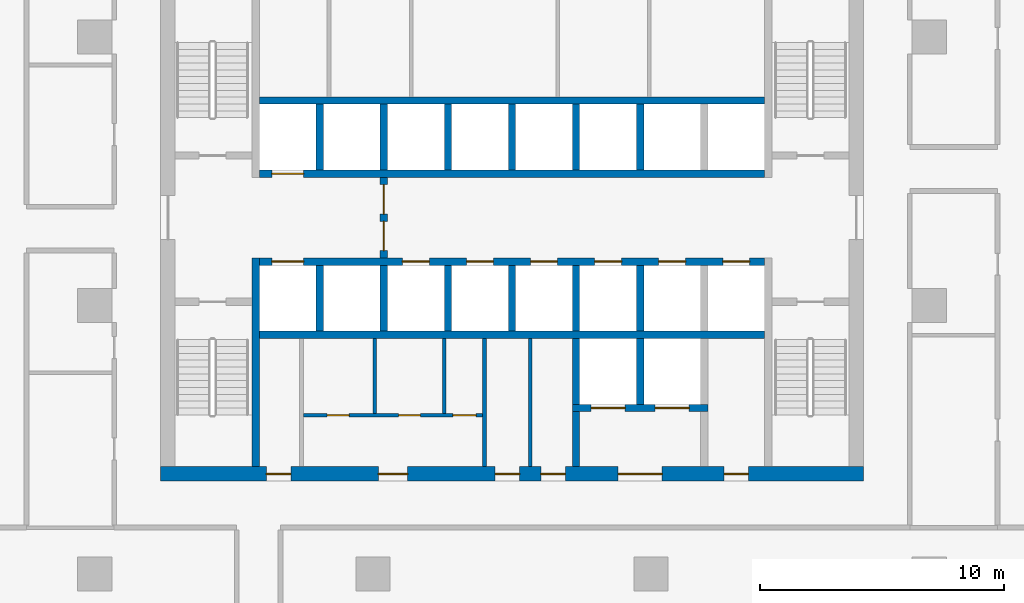
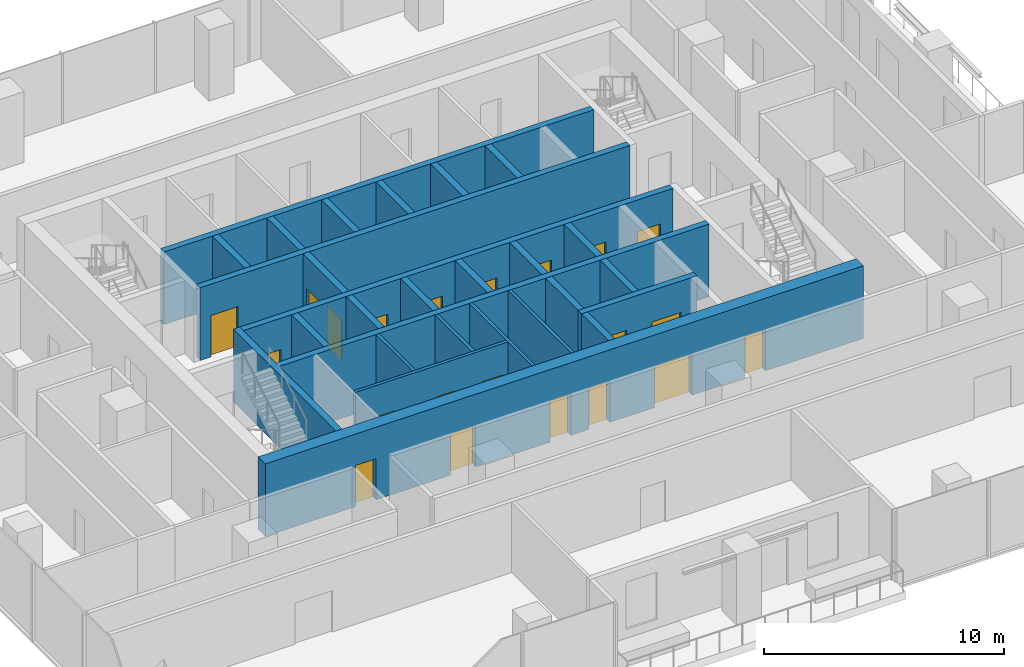
# One storey, part 8 of 14: 28 walls, 21 doors, 21 openings.
"""IFC4 building model written with IfcOpenShell, lengths in metres."""

import ifcopenshell
import ifcopenshell.guid

model = None  # the IFC model being written
_history = None  # IfcOwnerHistory: only IFC2X3 demands one
_inside = {}  # id of a spatial element -> (the spatial element, [elements in it])
_under = {}  # id of a project, library or spatial element -> (it, [spatial elements below it])
_declared = {}  # id of a project -> (the project, [libraries it declares])
_typed = {}  # id of a type object -> (the type object, [elements of that type])
_made_of = {}  # id of a material, layer set ... -> (it, [elements and type objects made of it])


def new_model(schema):
    """Start an empty IFC model of exactly this schema.

    Asked for "IFC4X3", IfcOpenShell would pick the latest addendum, in which some entities
    have other attributes; the version numbers below select the first issue.
    IFC2X3 requires an IfcOwnerHistory on every rooted entity: one is made here for all.
    """
    global model, _history
    if schema == "IFC4X3":
        model = ifcopenshell.file(schema_version=(4, 3, 0, 0))
    else:
        model = ifcopenshell.file(schema=schema)
    _inside.clear()
    _under.clear()
    _declared.clear()
    _typed.clear()
    _made_of.clear()
    _history = None
    if model.schema == "IFC2X3":
        org = make("IfcOrganization", Name="unknown")
        user = make(
            "IfcPersonAndOrganization",
            ThePerson=make("IfcPerson", FamilyName="unknown"),
            TheOrganization=org,
        )
        app = make(
            "IfcApplication",
            ApplicationDeveloper=org,
            Version="unknown",
            ApplicationFullName="unknown",
            ApplicationIdentifier="unknown",
        )
        _history = make(
            "IfcOwnerHistory",
            OwningUser=user,
            OwningApplication=app,
            ChangeAction="ADDED",
            CreationDate=0,
        )
    return model


def make(cls, **values):
    """One entity of the class cls with the attributes given. An attribute that is None is left unset."""
    return model.create_entity(
        cls, **{name: value for name, value in values.items() if value is not None}
    )


def rooted(cls, **values):
    """An entity with a GlobalId (a new one), such as an element, a storey or a relation."""
    return make(cls, GlobalId=ifcopenshell.guid.new(), OwnerHistory=_history, **values)


def si_unit(unit_type, name, prefix=None):
    """IfcSIUnit, for example si_unit("LENGTHUNIT", "METRE", prefix="MILLI")."""
    return make("IfcSIUnit", UnitType=unit_type, Prefix=prefix, Name=name)


def assignment(units):
    """IfcUnitAssignment: the units of a project."""
    return None if units is None else make("IfcUnitAssignment", Units=units)


def point(xyz):
    """IfcCartesianPoint."""
    return None if xyz is None else make("IfcCartesianPoint", Coordinates=xyz)


def direction(xyz):
    """IfcDirection."""
    return None if xyz is None else make("IfcDirection", DirectionRatios=xyz)


def frame(location, z_axis=None, x_axis=None):
    """IfcAxis2Placement3D, a coordinate frame: its origin and axes. An axis left out is left unset."""
    return make(
        "IfcAxis2Placement3D",
        Location=point(location),
        Axis=direction(z_axis),
        RefDirection=direction(x_axis),
    )


def frame_2d(location, x_axis=None):
    """IfcAxis2Placement2D, a coordinate frame in the plane: its origin and x axis."""
    return make(
        "IfcAxis2Placement2D", Location=point(location), RefDirection=direction(x_axis)
    )


def origin():
    """The frame at (0, 0, 0) with its axes left unset."""
    return frame((0.0, 0.0, 0.0))


def place(relative_to, where):
    """IfcLocalPlacement: puts the frame where relative to a parent placement (None: the world)."""
    return make(
        "IfcLocalPlacement", PlacementRelTo=relative_to, RelativePlacement=where
    )


def context(
    kind, dimensions, precision=None, world=None, true_north=None, identifier=None
):
    """IfcGeometricRepresentationContext, for example the 3D "Model" context."""
    return make(
        "IfcGeometricRepresentationContext",
        ContextIdentifier=identifier,
        ContextType=kind,
        CoordinateSpaceDimension=dimensions,
        Precision=precision,
        WorldCoordinateSystem=world,
        TrueNorth=true_north,
    )


def subcontext(parent, identifier, kind, view, scale=None):
    """IfcGeometricRepresentationSubContext, for example "Body" below "Model"."""
    return make(
        "IfcGeometricRepresentationSubContext",
        ContextIdentifier=identifier,
        ContextType=kind,
        ParentContext=parent,
        TargetScale=scale,
        TargetView=view,
    )


def project(units=None, contexts=None):
    """IfcProject with its units and contexts."""
    return rooted(
        "IfcProject",
        Name="project",
        RepresentationContexts=contexts,
        UnitsInContext=assignment(units),
    )


def spatial(cls, under=None, at=None, **own):
    """A site, building, storey or space (cls), placed at a placement, below another one or the project."""
    s = rooted(cls, ObjectPlacement=at, **own)
    if under is not None:
        _under.setdefault(under.id(), (under, []))[1].append(s)
    return s


def profile(cls, at=None, kind="AREA", **sizes):
    """A parametric profile (cls). Its sizes go by their IFC names, for example OverallWidth=200.0."""
    return make(cls, ProfileType=kind, Position=at, **sizes)


def rectangle(**sizes):
    """IfcRectangleProfileDef."""
    return profile("IfcRectangleProfileDef", **sizes)


def extrude(swept, where, along, depth):
    """IfcExtrudedAreaSolid: the profile swept, set in the frame where, extruded along a direction by depth."""
    return make(
        "IfcExtrudedAreaSolid",
        SweptArea=swept,
        Position=where,
        ExtrudedDirection=direction(along),
        Depth=depth,
    )


def shape(context_of_items, identifier, shape_type, items):
    """IfcShapeRepresentation: the items that make up one representation, for example the "Body"."""
    return make(
        "IfcShapeRepresentation",
        ContextOfItems=context_of_items,
        RepresentationIdentifier=identifier,
        RepresentationType=shape_type,
        Items=items,
    )


def material(Name=None, Category=None):
    """IfcMaterial."""
    return make("IfcMaterial", Name=Name, Category=Category)


def layer(
    of_material, thickness, ventilated=None, Name=None, Category=None, Priority=None
):
    """IfcMaterialLayer: one layer of a wall or slab, of a material (None: an air gap)."""
    return make(
        "IfcMaterialLayer",
        Material=of_material,
        LayerThickness=thickness,
        IsVentilated=ventilated,
        Name=Name,
        Category=Category,
        Priority=Priority,
    )


def layer_set(layers, Name=None):
    """IfcMaterialLayerSet."""
    return make("IfcMaterialLayerSet", MaterialLayers=layers, LayerSetName=Name)


def made_of(thing, what):
    """Note that an element or type object is made of a material, layer set ...; save() writes the relation."""
    if what is not None:
        _made_of.setdefault(what.id(), (what, []))[1].append(thing)
    return thing


def type_object(cls, material=None, **own):
    """A type object (cls), such as IfcWallType, which elements share."""
    return made_of(rooted(cls, **own), material)


def element(
    cls,
    number,
    at=None,
    inside=None,
    cuts=None,
    type_object=None,
    material=None,
    context=None,
    identifier="Body",
    shape_type=None,
    held_by="IfcProductDefinitionShape",
    body=None,
    shapes=None,
    **own,
):
    """One element of the class cls, such as IfcWall. Its Tag is "e" and its number.

    at: its placement. inside: the storey or other place that contains it. cuts: it is an
    opening in that element (IfcRelVoidsElement). A single representation is given by context,
    identifier, shape_type and body (its items); several are given by shapes. held_by: the class
    of the entity that holds the representations. save() writes the other relations.
    """
    e = rooted(cls, Tag="e%d" % number, ObjectPlacement=at, **own)
    if body is not None:
        shapes = [shape(context, identifier, shape_type, body)]
    if shapes is not None:
        e.Representation = make(held_by, Representations=shapes)
    if inside is not None:
        _inside.setdefault(inside.id(), (inside, []))[1].append(e)
    if cuts is not None:
        rooted(
            "IfcRelVoidsElement", RelatingBuildingElement=cuts, RelatedOpeningElement=e
        )
    if type_object is not None:
        _typed.setdefault(type_object.id(), (type_object, []))[1].append(e)
    return made_of(e, material)


def fill(opening, filler):
    """IfcRelFillsElement: the door or window that sits in an opening."""
    return rooted(
        "IfcRelFillsElement",
        RelatingOpeningElement=opening,
        RelatedBuildingElement=filler,
    )


def aggregate(whole, parts):
    """IfcRelAggregates: a whole, such as a stair, and the parts it consists of."""
    return rooted("IfcRelAggregates", RelatingObject=whole, RelatedObjects=parts)


def save(model, path):
    """Write the relations noted so far, then the file.

    IfcRelAggregates (storeys below a building ...), IfcRelContainedInSpatialStructure (elements
    in a storey), IfcRelDefinesByType, IfcRelAssociatesMaterial and IfcRelDeclares: one each for
    every whole, place, type object, material and project.
    """
    for whole, parts in _under.values():
        aggregate(whole, parts)
    for where, things in _inside.values():
        rooted(
            "IfcRelContainedInSpatialStructure",
            RelatedElements=things,
            RelatingStructure=where,
        )
    for kind, things in _typed.values():
        rooted("IfcRelDefinesByType", RelatedObjects=things, RelatingType=kind)
    for what, things in _made_of.values():
        rooted("IfcRelAssociatesMaterial", RelatedObjects=things, RelatingMaterial=what)
    for by, libraries in _declared.values():
        rooted("IfcRelDeclares", RelatingContext=by, RelatedDefinitions=libraries)
    model.write(path)


model = new_model("IFC4")

# Units and contexts
model_context = context("Model", 3, precision=1e-05, world=origin(), true_north=direction((0.0, 1.0)))
body_context = subcontext(model_context, "Body", "Model", "MODEL_VIEW")
ifc_project = project(units=[si_unit("LENGTHUNIT", "METRE"), si_unit("AREAUNIT", "SQUARE_METRE"), si_unit("VOLUMEUNIT", "CUBIC_METRE"), si_unit("PLANEANGLEUNIT", "RADIAN"), si_unit("MASSUNIT", "GRAM", prefix="KILO")], contexts=[model_context])

# Site, building, storey
site_placement = place(None, origin())
site = spatial("IfcSite", under=ifc_project, at=site_placement, CompositionType="ELEMENT")
building_placement = place(site_placement, origin())
building = spatial("IfcBuilding", under=site, at=building_placement, Name="Mopane Tessera Tower", CompositionType="ELEMENT")
storey_placement = place(building_placement, frame((0.0, 0.0, 161.0)))
storey = spatial("IfcBuildingStorey", under=building, at=storey_placement, Name="L32", CompositionType="ELEMENT", Elevation=161.0)

# Wall, openings, doors
ifc_material_1 = material(Name="Fire-rated gypsum board partition")
ifc_layer_1 = layer(ifc_material_1, 0.14990234375)
ifc_layer_set_1 = layer_set([ifc_layer_1], Name="Fire-rated gypsum board partition")
wall_type_1 = type_object("IfcWallType", Name="Core room partition 150 mm", PredefinedType="PARTITIONING", material=ifc_layer_set_1)
wall_1_placement = place(storey_placement, frame((-8.550048828125, -4.5, 0.0), z_axis=(0.0, 0.0, 1.0), x_axis=(1.0, 0.0, 0.0)))
wall_1 = element("IfcWall", 1, at=wall_1_placement, inside=storey, type_object=wall_type_1, Name="L32 WC partition", PredefinedType="PARTITIONING", context=body_context, shape_type="SweptSolid", body=[
    extrude(rectangle(XDim=7.35009765625, YDim=0.14990234375, at=frame_2d((3.675048828125, 0.0))), origin(), (0.0, 0.0, 1.0), 3.699951171875),
])
opening_1_placement = place(wall_1_placement, frame((0.97509765625, 0.0, 0.0)))
opening_1 = element("IfcOpeningElement", 2, at=opening_1_placement, cuts=wall_1, Name="Opening WD1", PredefinedType="OPENING", context=body_context, shape_type="SweptSolid", body=[
    extrude(rectangle(XDim=0.89990234375, YDim=2.10009765625, at=frame_2d((0.449951171875, 1.050048828125))), frame((0.0, 0.0869140625, 0.0), z_axis=(0.0, -1.0, 0.0), x_axis=(1.0, 0.0, 0.0)), (0.0, 0.0, 1.0), 0.173828125),
])
opening_2_placement = place(wall_1_placement, frame((3.89990234375, 0.0, 0.0)))
opening_2 = element("IfcOpeningElement", 3, at=opening_2_placement, cuts=wall_1, Name="Opening WD1", PredefinedType="OPENING", context=body_context, shape_type="SweptSolid", body=[
    extrude(rectangle(XDim=0.89990234375, YDim=2.10009765625, at=frame_2d((0.449951171875, 1.050048828125))), frame((0.0, 0.0869140625, 0.0), z_axis=(0.0, -1.0, 0.0), x_axis=(1.0, 0.0, 0.0)), (0.0, 0.0, 1.0), 0.173828125),
])
opening_3_placement = place(wall_1_placement, frame((6.125, 0.0, 0.0)))
opening_3 = element("IfcOpeningElement", 4, at=opening_3_placement, cuts=wall_1, Name="Opening WD2", PredefinedType="OPENING", context=body_context, shape_type="SweptSolid", body=[
    extrude(rectangle(XDim=0.949951171875, YDim=2.10009765625, at=frame_2d((0.47509765625, 1.050048828125))), frame((0.0, 0.0869140625, 0.0), z_axis=(0.0, -1.0, 0.0), x_axis=(1.0, 0.0, 0.0)), (0.0, 0.0, 1.0), 0.173828125),
])
ifc_material_2 = material(Name="Timber door", Category="wood")
door_type_1 = type_object("IfcDoorType", Name="Accessible WC door 950 x 2100", OperationType="SINGLE_SWING_LEFT", PredefinedType="DOOR", material=ifc_material_2)
door_1_placement = place(opening_3_placement, origin())
door_1 = element("IfcDoor", 5, at=door_1_placement, inside=storey, type_object=door_type_1, Name="L32 Accessible WC door", OperationType="SINGLE_SWING_LEFT", OverallHeight=2.10009765625, OverallWidth=0.949951171875, PredefinedType="DOOR", context=body_context, shape_type="SweptSolid", body=[
    extrude(rectangle(XDim=0.949951171875, YDim=2.10009765625, at=frame_2d((0.47509765625, 1.050048828125))), frame((0.0, 0.02490234375, 0.0), z_axis=(0.0, -1.0, 0.0), x_axis=(1.0, 0.0, 0.0)), (0.0, 0.0, 1.0), 0.050048828125),
])
fill(opening_3, door_1)
ifc_material_3 = material(Name="Timber door", Category="wood")
door_type_2 = type_object("IfcDoorType", Name="WC cubicle door 900 x 2100", OperationType="SINGLE_SWING_LEFT", PredefinedType="DOOR", material=ifc_material_3)
door_2_placement = place(opening_1_placement, origin())
door_2 = element("IfcDoor", 6, at=door_2_placement, inside=storey, type_object=door_type_2, Name="L32 Men's WC door", OperationType="SINGLE_SWING_LEFT", OverallHeight=2.10009765625, OverallWidth=0.89990234375, PredefinedType="DOOR", context=body_context, shape_type="SweptSolid", body=[
    extrude(rectangle(XDim=0.89990234375, YDim=2.10009765625, at=frame_2d((0.449951171875, 1.050048828125))), frame((0.0, 0.02490234375, 0.0), z_axis=(0.0, -1.0, 0.0), x_axis=(1.0, 0.0, 0.0)), (0.0, 0.0, 1.0), 0.050048828125),
])
fill(opening_1, door_2)
door_3_placement = place(opening_2_placement, origin())
door_3 = element("IfcDoor", 7, at=door_3_placement, inside=storey, type_object=door_type_2, Name="L32 Women's WC door", OperationType="SINGLE_SWING_LEFT", OverallHeight=2.10009765625, OverallWidth=0.89990234375, PredefinedType="DOOR", context=body_context, shape_type="SweptSolid", body=[
    extrude(rectangle(XDim=0.89990234375, YDim=2.10009765625, at=frame_2d((0.449951171875, 1.050048828125))), frame((0.0, 0.02490234375, 0.0), z_axis=(0.0, -1.0, 0.0), x_axis=(1.0, 0.0, 0.0)), (0.0, 0.0, 1.0), 0.050048828125),
])
fill(opening_2, door_3)

# Walls
for number, where, z_axis, x_axis, name in (
    (8, (-5.625, -4.425048828125, 0.0), (0.0, 0.0, 1.0), (0.0, 1.0, 0.0), "L32 WC partition"),
    (9, (-2.77490234375, -4.425048828125, 0.0), (0.0, 0.0, 1.0), (0.0, 1.0, 0.0), "L32 WC partition"),
):
    element("IfcWall", number, at=place(storey_placement, frame(where, z_axis=z_axis, x_axis=x_axis)), inside=storey, type_object=wall_type_1, Name=name, PredefinedType="PARTITIONING", context=body_context, shape_type="SweptSolid", body=[
        extrude(rectangle(XDim=3.074951171875, YDim=0.14990234375, at=frame_2d((1.53759765625, 0.0))), origin(), (0.0, 0.0, 1.0), 3.699951171875),
    ])
for number, where, z_axis, x_axis, name in (
    (10, (-1.125, -6.60009765625, 0.0), (0.0, 0.0, 1.0), (0.0, 1.0, 0.0), "L32 Room partition"),
    (11, (0.75, -6.60009765625, 0.0), (0.0, 0.0, 1.0), (0.0, 1.0, 0.0), "L32 Room partition"),
):
    element("IfcWall", number, at=place(storey_placement, frame(where, z_axis=z_axis, x_axis=x_axis)), inside=storey, type_object=wall_type_1, Name=name, PredefinedType="PARTITIONING", context=body_context, shape_type="SweptSolid", body=[
        extrude(rectangle(XDim=5.25, YDim=0.14990234375, at=frame_2d((2.625, 0.0))), origin(), (0.0, 0.0, 1.0), 3.699951171875),
    ])

# Wall, openings, doors
ifc_material_4 = material(Name="Concrete C70/85", Category="concrete")
ifc_layer_2 = layer(ifc_material_4, 0.60009765625)
ifc_layer_set_2 = layer_set([ifc_layer_2], Name="Concrete C70/85")
wall_type_2 = type_object("IfcWallType", Name="Core shear wall 600 mm", PredefinedType="SHEAR", material=ifc_layer_set_2)
wall_2_placement = place(storey_placement, frame((-14.39990234375, -6.89990234375, 0.0), z_axis=(0.0, 0.0, 1.0), x_axis=(1.0, 0.0, 0.0)))
wall_2 = element("IfcWall", 12, at=wall_2_placement, inside=storey, type_object=wall_type_2, Name="L32 Core wall south", PredefinedType="SHEAR", context=body_context, shape_type="SweptSolid", body=[
    extrude(rectangle(XDim=28.7998046875, YDim=0.60009765625, at=frame_2d((14.39990234375, 0.0))), origin(), (0.0, 0.0, 1.0), 3.699951171875),
])
opening_4_placement = place(wall_2_placement, frame((4.33740234375, 0.0, 0.0)))
opening_4 = element("IfcOpeningElement", 13, at=opening_4_placement, cuts=wall_2, Name="Opening RD1", PredefinedType="OPENING", context=body_context, shape_type="SweptSolid", body=[
    extrude(rectangle(XDim=1.0, YDim=2.10009765625, at=frame_2d((0.5, 1.050048828125))), frame((0.0, 0.31201171875, 0.0), z_axis=(0.0, -1.0, 0.0), x_axis=(1.0, 0.0, 0.0)), (0.0, 0.0, 1.0), 0.6240234375),
])
opening_5_placement = place(wall_2_placement, frame((8.925048828125, 0.0, 0.0)))
opening_5 = element("IfcOpeningElement", 14, at=opening_5_placement, cuts=wall_2, Name="Opening WD3", PredefinedType="OPENING", context=body_context, shape_type="SweptSolid", body=[
    extrude(rectangle(XDim=1.199951171875, YDim=2.10009765625, at=frame_2d((0.60009765625, 1.050048828125))), frame((0.0, 0.31201171875, 0.0), z_axis=(0.0, -1.0, 0.0), x_axis=(1.0, 0.0, 0.0)), (0.0, 0.0, 1.0), 0.6240234375),
])
opening_6_placement = place(wall_2_placement, frame((13.71240234375, 0.0, 0.0)))
opening_6 = element("IfcOpeningElement", 15, at=opening_6_placement, cuts=wall_2, Name="Opening RD1", PredefinedType="OPENING", context=body_context, shape_type="SweptSolid", body=[
    extrude(rectangle(XDim=1.0, YDim=2.10009765625, at=frame_2d((0.5, 1.050048828125))), frame((0.0, 0.31201171875, 0.0), z_axis=(0.0, -1.0, 0.0), x_axis=(1.0, 0.0, 0.0)), (0.0, 0.0, 1.0), 0.6240234375),
])
opening_7_placement = place(wall_2_placement, frame((15.58740234375, 0.0, 0.0)))
opening_7 = element("IfcOpeningElement", 16, at=opening_7_placement, cuts=wall_2, Name="Opening RD1", PredefinedType="OPENING", context=body_context, shape_type="SweptSolid", body=[
    extrude(rectangle(XDim=1.0, YDim=2.10009765625, at=frame_2d((0.5, 1.050048828125))), frame((0.0, 0.31201171875, 0.0), z_axis=(0.0, -1.0, 0.0), x_axis=(1.0, 0.0, 0.0)), (0.0, 0.0, 1.0), 0.6240234375),
])
opening_8_placement = place(wall_2_placement, frame((18.75, 0.0, 0.0)))
opening_8 = element("IfcOpeningElement", 17, at=opening_8_placement, cuts=wall_2, Name="Opening SD2", PredefinedType="OPENING", context=body_context, shape_type="SweptSolid", body=[
    extrude(rectangle(XDim=1.800048828125, YDim=2.10009765625, at=frame_2d((0.89990234375, 1.050048828125))), frame((0.0, 0.31201171875, 0.0), z_axis=(0.0, -1.0, 0.0), x_axis=(1.0, 0.0, 0.0)), (0.0, 0.0, 1.0), 0.6240234375),
])
opening_9_placement = place(wall_2_placement, frame((23.08740234375, 0.0, 0.0)))
opening_9 = element("IfcOpeningElement", 18, at=opening_9_placement, cuts=wall_2, Name="Opening RD1", PredefinedType="OPENING", context=body_context, shape_type="SweptSolid", body=[
    extrude(rectangle(XDim=1.0, YDim=2.10009765625, at=frame_2d((0.5, 1.050048828125))), frame((0.0, 0.31201171875, 0.0), z_axis=(0.0, -1.0, 0.0), x_axis=(1.0, 0.0, 0.0)), (0.0, 0.0, 1.0), 0.6240234375),
])
ifc_material_5 = material(Name="Steel fire door", Category="steel")
door_type_3 = type_object("IfcDoorType", Name="Core entrance double door 1800 x 2100", OperationType="DOUBLE_DOOR_SINGLE_SWING", PredefinedType="DOOR", material=ifc_material_5)
door_4_placement = place(opening_8_placement, origin())
door_4 = element("IfcDoor", 19, at=door_4_placement, inside=storey, type_object=door_type_3, Name="L32 Service lobby door", OperationType="DOUBLE_DOOR_SINGLE_SWING", OverallHeight=2.10009765625, OverallWidth=1.800048828125, PredefinedType="DOOR", context=body_context, shape_type="SweptSolid", body=[
    extrude(rectangle(XDim=1.800048828125, YDim=2.10009765625, at=frame_2d((0.89990234375, 1.050048828125))), frame((0.0, 0.02490234375, 0.0), z_axis=(0.0, -1.0, 0.0), x_axis=(1.0, 0.0, 0.0)), (0.0, 0.0, 1.0), 0.050048828125),
])
fill(opening_8, door_4)
ifc_material_6 = material(Name="Timber door", Category="wood")
door_type_4 = type_object("IfcDoorType", Name="Core room door 1000 x 2100", OperationType="SINGLE_SWING_LEFT", PredefinedType="DOOR", material=ifc_material_6)
door_5_placement = place(opening_4_placement, origin())
door_5 = element("IfcDoor", 20, at=door_5_placement, inside=storey, type_object=door_type_4, Name="L32 Room door", OperationType="SINGLE_SWING_LEFT", OverallHeight=2.10009765625, OverallWidth=1.0, PredefinedType="DOOR", context=body_context, shape_type="SweptSolid", body=[
    extrude(rectangle(XDim=1.0, YDim=2.10009765625, at=frame_2d((0.5, 1.050048828125))), frame((0.0, 0.02490234375, 0.0), z_axis=(0.0, -1.0, 0.0), x_axis=(1.0, 0.0, 0.0)), (0.0, 0.0, 1.0), 0.050048828125),
])
fill(opening_4, door_5)
door_6_placement = place(opening_6_placement, origin())
door_6 = element("IfcDoor", 21, at=door_6_placement, inside=storey, type_object=door_type_4, Name="L32 Room door", OperationType="SINGLE_SWING_LEFT", OverallHeight=2.10009765625, OverallWidth=1.0, PredefinedType="DOOR", context=body_context, shape_type="SweptSolid", body=[
    extrude(rectangle(XDim=1.0, YDim=2.10009765625, at=frame_2d((0.5, 1.050048828125))), frame((0.0, 0.02490234375, 0.0), z_axis=(0.0, -1.0, 0.0), x_axis=(1.0, 0.0, 0.0)), (0.0, 0.0, 1.0), 0.050048828125),
])
fill(opening_6, door_6)
door_7_placement = place(opening_7_placement, origin())
door_7 = element("IfcDoor", 22, at=door_7_placement, inside=storey, type_object=door_type_4, Name="L32 Room door", OperationType="SINGLE_SWING_LEFT", OverallHeight=2.10009765625, OverallWidth=1.0, PredefinedType="DOOR", context=body_context, shape_type="SweptSolid", body=[
    extrude(rectangle(XDim=1.0, YDim=2.10009765625, at=frame_2d((0.5, 1.050048828125))), frame((0.0, 0.02490234375, 0.0), z_axis=(0.0, -1.0, 0.0), x_axis=(1.0, 0.0, 0.0)), (0.0, 0.0, 1.0), 0.050048828125),
])
fill(opening_7, door_7)
door_8_placement = place(opening_9_placement, origin())
door_8 = element("IfcDoor", 23, at=door_8_placement, inside=storey, type_object=door_type_4, Name="L32 Room door", OperationType="SINGLE_SWING_LEFT", OverallHeight=2.10009765625, OverallWidth=1.0, PredefinedType="DOOR", context=body_context, shape_type="SweptSolid", body=[
    extrude(rectangle(XDim=1.0, YDim=2.10009765625, at=frame_2d((0.5, 1.050048828125))), frame((0.0, 0.02490234375, 0.0), z_axis=(0.0, -1.0, 0.0), x_axis=(1.0, 0.0, 0.0)), (0.0, 0.0, 1.0), 0.050048828125),
])
fill(opening_9, door_8)
ifc_material_7 = material(Name="Timber door", Category="wood")
door_type_5 = type_object("IfcDoorType", Name="WC lobby door 1200 x 2100", OperationType="SINGLE_SWING_LEFT", PredefinedType="DOOR", material=ifc_material_7)
door_9_placement = place(opening_5_placement, origin())
door_9 = element("IfcDoor", 24, at=door_9_placement, inside=storey, type_object=door_type_5, Name="L32 WC lobby door", OperationType="SINGLE_SWING_LEFT", OverallHeight=2.10009765625, OverallWidth=1.199951171875, PredefinedType="DOOR", context=body_context, shape_type="SweptSolid", body=[
    extrude(rectangle(XDim=1.199951171875, YDim=2.10009765625, at=frame_2d((0.60009765625, 1.050048828125))), frame((0.0, 0.02490234375, 0.0), z_axis=(0.0, -1.0, 0.0), x_axis=(1.0, 0.0, 0.0)), (0.0, 0.0, 1.0), 0.050048828125),
])
fill(opening_5, door_9)

# Walls
ifc_material_8 = material(Name="Concrete C60/75", Category="concrete")
ifc_layer_3 = layer(ifc_material_8, 0.300048828125)
ifc_layer_set_3 = layer_set([ifc_layer_3], Name="Concrete C60/75")
wall_type_3 = type_object("IfcWallType", Name="Core spine wall 300 mm", PredefinedType="SHEAR", material=ifc_layer_set_3)
wall_3_placement = place(storey_placement, frame((-10.5, -6.60009765625, 0.0), z_axis=(0.0, 0.0, 1.0), x_axis=(0.0, 1.0, 0.0)))
element("IfcWall", 25, at=wall_3_placement, inside=storey, type_object=wall_type_3, Name="L32 Core spine wall", PredefinedType="SHEAR", context=body_context, shape_type="SweptSolid", body=[
    extrude(rectangle(XDim=8.550048828125, YDim=0.300048828125, at=frame_2d((4.27490234375, 0.0))), origin(), (0.0, 0.0, 1.0), 3.699951171875),
])
ifc_material_9 = material(Name="Concrete C50/60", Category="concrete")
ifc_layer_4 = layer(ifc_material_9, 0.300048828125)
ifc_layer_set_4 = layer_set([ifc_layer_4], Name="Concrete C50/60")
wall_type_4 = type_object("IfcWallType", Name="Lift and stair shaft wall 300 mm", PredefinedType="SOLIDWALL", material=ifc_layer_set_4)
wall_4_placement = place(storey_placement, frame((-10.35009765625, -1.199951171875, 0.0), z_axis=(0.0, 0.0, 1.0), x_axis=(1.0, 0.0, 0.0)))
element("IfcWall", 26, at=wall_4_placement, inside=storey, type_object=wall_type_4, Name="L32 Lift shaft rear wall", PredefinedType="SOLIDWALL", context=body_context, shape_type="SweptSolid", body=[
    extrude(rectangle(XDim=20.7001953125, YDim=0.300048828125, at=frame_2d((10.35009765625, 0.0))), origin(), (0.0, 0.0, 1.0), 3.699951171875),
])

# Wall, openings, doors
wall_5_placement = place(storey_placement, frame((-10.35009765625, 1.800048828125, 0.0), z_axis=(0.0, 0.0, 1.0), x_axis=(1.0, 0.0, 0.0)))
wall_5 = element("IfcWall", 27, at=wall_5_placement, inside=storey, type_object=wall_type_4, Name="L32 Lift shaft front wall", PredefinedType="SOLIDWALL", context=body_context, shape_type="SweptSolid", body=[
    extrude(rectangle(XDim=20.7001953125, YDim=0.300048828125, at=frame_2d((10.35009765625, 0.0))), origin(), (0.0, 0.0, 1.0), 3.699951171875),
])
opening_10_placement = place(wall_5_placement, frame((0.512451171875, 0.0, 0.0)))
opening_10 = element("IfcOpeningElement", 28, at=opening_10_placement, cuts=wall_5, Name="Opening LD2", PredefinedType="OPENING", context=body_context, shape_type="SweptSolid", body=[
    extrude(rectangle(XDim=1.300048828125, YDim=2.10009765625, at=frame_2d((0.64990234375, 1.050048828125))), frame((0.0, 0.162109375, 0.0), z_axis=(0.0, -1.0, 0.0), x_axis=(1.0, 0.0, 0.0)), (0.0, 0.0, 1.0), 0.323974609375),
])
opening_11_placement = place(wall_5_placement, frame((5.862548828125, 0.0, 0.0)))
opening_11 = element("IfcOpeningElement", 29, at=opening_11_placement, cuts=wall_5, Name="Opening LD", PredefinedType="OPENING", context=body_context, shape_type="SweptSolid", body=[
    extrude(rectangle(XDim=1.10009765625, YDim=2.10009765625, at=frame_2d((0.550048828125, 1.050048828125))), frame((0.0, 0.162109375, 0.0), z_axis=(0.0, -1.0, 0.0), x_axis=(1.0, 0.0, 0.0)), (0.0, 0.0, 1.0), 0.323974609375),
])
opening_12_placement = place(wall_5_placement, frame((8.487548828125, 0.0, 0.0)))
opening_12 = element("IfcOpeningElement", 30, at=opening_12_placement, cuts=wall_5, Name="Opening LD", PredefinedType="OPENING", context=body_context, shape_type="SweptSolid", body=[
    extrude(rectangle(XDim=1.10009765625, YDim=2.10009765625, at=frame_2d((0.550048828125, 1.050048828125))), frame((0.0, 0.162109375, 0.0), z_axis=(0.0, -1.0, 0.0), x_axis=(1.0, 0.0, 0.0)), (0.0, 0.0, 1.0), 0.323974609375),
])
opening_13_placement = place(wall_5_placement, frame((11.112548828125, 0.0, 0.0)))
opening_13 = element("IfcOpeningElement", 31, at=opening_13_placement, cuts=wall_5, Name="Opening LD", PredefinedType="OPENING", context=body_context, shape_type="SweptSolid", body=[
    extrude(rectangle(XDim=1.10009765625, YDim=2.10009765625, at=frame_2d((0.550048828125, 1.050048828125))), frame((0.0, 0.162109375, 0.0), z_axis=(0.0, -1.0, 0.0), x_axis=(1.0, 0.0, 0.0)), (0.0, 0.0, 1.0), 0.323974609375),
])
opening_14_placement = place(wall_5_placement, frame((13.737548828125, 0.0, 0.0)))
opening_14 = element("IfcOpeningElement", 32, at=opening_14_placement, cuts=wall_5, Name="Opening LD", PredefinedType="OPENING", context=body_context, shape_type="SweptSolid", body=[
    extrude(rectangle(XDim=1.10009765625, YDim=2.10009765625, at=frame_2d((0.550048828125, 1.050048828125))), frame((0.0, 0.162109375, 0.0), z_axis=(0.0, -1.0, 0.0), x_axis=(1.0, 0.0, 0.0)), (0.0, 0.0, 1.0), 0.323974609375),
])
opening_15_placement = place(wall_5_placement, frame((16.362548828125, 0.0, 0.0)))
opening_15 = element("IfcOpeningElement", 33, at=opening_15_placement, cuts=wall_5, Name="Opening LD", PredefinedType="OPENING", context=body_context, shape_type="SweptSolid", body=[
    extrude(rectangle(XDim=1.10009765625, YDim=2.10009765625, at=frame_2d((0.550048828125, 1.050048828125))), frame((0.0, 0.162109375, 0.0), z_axis=(0.0, -1.0, 0.0), x_axis=(1.0, 0.0, 0.0)), (0.0, 0.0, 1.0), 0.323974609375),
])
opening_16_placement = place(wall_5_placement, frame((18.987548828125, 0.0, 0.0)))
opening_16 = element("IfcOpeningElement", 34, at=opening_16_placement, cuts=wall_5, Name="Opening LD", PredefinedType="OPENING", context=body_context, shape_type="SweptSolid", body=[
    extrude(rectangle(XDim=1.10009765625, YDim=2.10009765625, at=frame_2d((0.550048828125, 1.050048828125))), frame((0.0, 0.162109375, 0.0), z_axis=(0.0, -1.0, 0.0), x_axis=(1.0, 0.0, 0.0)), (0.0, 0.0, 1.0), 0.323974609375),
])
ifc_material_10 = material(Name="Stainless steel sliding door", Category="steel")
door_type_6 = type_object("IfcDoorType", Name="Fire-fighting lift landing door 1300 x 2100", OperationType="DOUBLE_DOOR_SLIDING", PredefinedType="DOOR", material=ifc_material_10)
door_10_placement = place(opening_10_placement, origin())
door_10 = element("IfcDoor", 35, at=door_10_placement, inside=storey, type_object=door_type_6, Name="L32 Lift landing door FF1", OperationType="DOUBLE_DOOR_SLIDING", OverallHeight=2.10009765625, OverallWidth=1.300048828125, PredefinedType="DOOR", context=body_context, shape_type="SweptSolid", body=[
    extrude(rectangle(XDim=1.300048828125, YDim=2.10009765625, at=frame_2d((0.64990234375, 1.050048828125))), frame((0.0, 0.02490234375, 0.0), z_axis=(0.0, -1.0, 0.0), x_axis=(1.0, 0.0, 0.0)), (0.0, 0.0, 1.0), 0.050048828125),
])
fill(opening_10, door_10)
ifc_material_11 = material(Name="Stainless steel sliding door", Category="steel")
door_type_7 = type_object("IfcDoorType", Name="Lift landing door 1100 x 2100", OperationType="DOUBLE_DOOR_SLIDING", PredefinedType="DOOR", material=ifc_material_11)
door_11_placement = place(opening_11_placement, origin())
door_11 = element("IfcDoor", 36, at=door_11_placement, inside=storey, type_object=door_type_7, Name="L32 Lift landing door LR1", OperationType="DOUBLE_DOOR_SLIDING", OverallHeight=2.10009765625, OverallWidth=1.10009765625, PredefinedType="DOOR", context=body_context, shape_type="SweptSolid", body=[
    extrude(rectangle(XDim=1.10009765625, YDim=2.10009765625, at=frame_2d((0.550048828125, 1.050048828125))), frame((0.0, 0.02490234375, 0.0), z_axis=(0.0, -1.0, 0.0), x_axis=(1.0, 0.0, 0.0)), (0.0, 0.0, 1.0), 0.050048828125),
])
fill(opening_11, door_11)
door_12_placement = place(opening_12_placement, origin())
door_12 = element("IfcDoor", 37, at=door_12_placement, inside=storey, type_object=door_type_7, Name="L32 Lift landing door LR2", OperationType="DOUBLE_DOOR_SLIDING", OverallHeight=2.10009765625, OverallWidth=1.10009765625, PredefinedType="DOOR", context=body_context, shape_type="SweptSolid", body=[
    extrude(rectangle(XDim=1.10009765625, YDim=2.10009765625, at=frame_2d((0.550048828125, 1.050048828125))), frame((0.0, 0.02490234375, 0.0), z_axis=(0.0, -1.0, 0.0), x_axis=(1.0, 0.0, 0.0)), (0.0, 0.0, 1.0), 0.050048828125),
])
fill(opening_12, door_12)
door_13_placement = place(opening_13_placement, origin())
door_13 = element("IfcDoor", 38, at=door_13_placement, inside=storey, type_object=door_type_7, Name="L32 Lift landing door LR3", OperationType="DOUBLE_DOOR_SLIDING", OverallHeight=2.10009765625, OverallWidth=1.10009765625, PredefinedType="DOOR", context=body_context, shape_type="SweptSolid", body=[
    extrude(rectangle(XDim=1.10009765625, YDim=2.10009765625, at=frame_2d((0.550048828125, 1.050048828125))), frame((0.0, 0.02490234375, 0.0), z_axis=(0.0, -1.0, 0.0), x_axis=(1.0, 0.0, 0.0)), (0.0, 0.0, 1.0), 0.050048828125),
])
fill(opening_13, door_13)
door_14_placement = place(opening_14_placement, origin())
door_14 = element("IfcDoor", 39, at=door_14_placement, inside=storey, type_object=door_type_7, Name="L32 Lift landing door LR4", OperationType="DOUBLE_DOOR_SLIDING", OverallHeight=2.10009765625, OverallWidth=1.10009765625, PredefinedType="DOOR", context=body_context, shape_type="SweptSolid", body=[
    extrude(rectangle(XDim=1.10009765625, YDim=2.10009765625, at=frame_2d((0.550048828125, 1.050048828125))), frame((0.0, 0.02490234375, 0.0), z_axis=(0.0, -1.0, 0.0), x_axis=(1.0, 0.0, 0.0)), (0.0, 0.0, 1.0), 0.050048828125),
])
fill(opening_14, door_14)
door_15_placement = place(opening_15_placement, origin())
door_15 = element("IfcDoor", 40, at=door_15_placement, inside=storey, type_object=door_type_7, Name="L32 Lift landing door LR5", OperationType="DOUBLE_DOOR_SLIDING", OverallHeight=2.10009765625, OverallWidth=1.10009765625, PredefinedType="DOOR", context=body_context, shape_type="SweptSolid", body=[
    extrude(rectangle(XDim=1.10009765625, YDim=2.10009765625, at=frame_2d((0.550048828125, 1.050048828125))), frame((0.0, 0.02490234375, 0.0), z_axis=(0.0, -1.0, 0.0), x_axis=(1.0, 0.0, 0.0)), (0.0, 0.0, 1.0), 0.050048828125),
])
fill(opening_15, door_15)
door_16_placement = place(opening_16_placement, origin())
door_16 = element("IfcDoor", 41, at=door_16_placement, inside=storey, type_object=door_type_7, Name="L32 Lift landing door LR6", OperationType="DOUBLE_DOOR_SLIDING", OverallHeight=2.10009765625, OverallWidth=1.10009765625, PredefinedType="DOOR", context=body_context, shape_type="SweptSolid", body=[
    extrude(rectangle(XDim=1.10009765625, YDim=2.10009765625, at=frame_2d((0.550048828125, 1.050048828125))), frame((0.0, 0.02490234375, 0.0), z_axis=(0.0, -1.0, 0.0), x_axis=(1.0, 0.0, 0.0)), (0.0, 0.0, 1.0), 0.050048828125),
])
fill(opening_16, door_16)

# Wall, opening, door
wall_6_placement = place(storey_placement, frame((-10.35009765625, 5.39990234375, 0.0), z_axis=(0.0, 0.0, 1.0), x_axis=(1.0, 0.0, 0.0)))
wall_6 = element("IfcWall", 42, at=wall_6_placement, inside=storey, type_object=wall_type_4, Name="L32 Lift shaft front wall", PredefinedType="SOLIDWALL", context=body_context, shape_type="SweptSolid", body=[
    extrude(rectangle(XDim=20.7001953125, YDim=0.300048828125, at=frame_2d((10.35009765625, 0.0))), origin(), (0.0, 0.0, 1.0), 3.699951171875),
])
opening_17_placement = place(wall_6_placement, frame((0.512451171875, 0.0, 0.0)))
opening_17 = element("IfcOpeningElement", 43, at=opening_17_placement, cuts=wall_6, Name="Opening LD2", PredefinedType="OPENING", context=body_context, shape_type="SweptSolid", body=[
    extrude(rectangle(XDim=1.300048828125, YDim=2.10009765625, at=frame_2d((0.64990234375, 1.050048828125))), frame((0.0, 0.162109375, 0.0), z_axis=(0.0, -1.0, 0.0), x_axis=(1.0, 0.0, 0.0)), (0.0, 0.0, 1.0), 0.323974609375),
])
door_17_placement = place(opening_17_placement, origin())
door_17 = element("IfcDoor", 44, at=door_17_placement, inside=storey, type_object=door_type_6, Name="L32 Lift landing door FF2", OperationType="DOUBLE_DOOR_SLIDING", OverallHeight=2.10009765625, OverallWidth=1.300048828125, PredefinedType="DOOR", context=body_context, shape_type="SweptSolid", body=[
    extrude(rectangle(XDim=1.300048828125, YDim=2.10009765625, at=frame_2d((0.64990234375, 1.050048828125))), frame((0.0, 0.02490234375, 0.0), z_axis=(0.0, -1.0, 0.0), x_axis=(1.0, 0.0, 0.0)), (0.0, 0.0, 1.0), 0.050048828125),
])
fill(opening_17, door_17)

# Walls
wall_7_placement = place(storey_placement, frame((-10.35009765625, 8.39990234375, 0.0), z_axis=(0.0, 0.0, 1.0), x_axis=(1.0, 0.0, 0.0)))
element("IfcWall", 45, at=wall_7_placement, inside=storey, type_object=wall_type_4, Name="L32 Lift shaft rear wall", PredefinedType="SOLIDWALL", context=body_context, shape_type="SweptSolid", body=[
    extrude(rectangle(XDim=20.7001953125, YDim=0.300048828125, at=frame_2d((10.35009765625, 0.0))), origin(), (0.0, 0.0, 1.0), 3.699951171875),
])
for number, where, z_axis, x_axis, name in (
    (46, (-7.875, -1.050048828125, 0.0), (0.0, 0.0, 1.0), (0.0, 1.0, 0.0), "L32 Lift shaft wall"),
    (47, (-5.25, -1.050048828125, 0.0), (0.0, 0.0, 1.0), (0.0, 1.0, 0.0), "L32 Lift shaft wall"),
    (48, (-2.625, -1.050048828125, 0.0), (0.0, 0.0, 1.0), (0.0, 1.0, 0.0), "L32 Lift shaft wall"),
    (49, (0.0, -1.050048828125, 0.0), (0.0, 0.0, 1.0), (0.0, 1.0, 0.0), "L32 Lift shaft wall"),
    (50, (2.625, -1.050048828125, 0.0), (0.0, 0.0, 1.0), (0.0, 1.0, 0.0), "L32 Lift shaft wall"),
    (51, (5.25, -1.050048828125, 0.0), (0.0, 0.0, 1.0), (0.0, 1.0, 0.0), "L32 Lift shaft wall"),
    (52, (-7.875, 5.550048828125, 0.0), (0.0, 0.0, 1.0), (0.0, 1.0, 0.0), "L32 Lift shaft wall"),
    (53, (-5.25, 5.550048828125, 0.0), (0.0, 0.0, 1.0), (0.0, 1.0, 0.0), "L32 Lift shaft wall"),
    (54, (-2.625, 5.550048828125, 0.0), (0.0, 0.0, 1.0), (0.0, 1.0, 0.0), "L32 Lift shaft wall"),
    (55, (0.0, 5.550048828125, 0.0), (0.0, 0.0, 1.0), (0.0, 1.0, 0.0), "L32 Lift shaft wall"),
    (56, (2.625, 5.550048828125, 0.0), (0.0, 0.0, 1.0), (0.0, 1.0, 0.0), "L32 Lift shaft wall"),
    (57, (5.25, 5.550048828125, 0.0), (0.0, 0.0, 1.0), (0.0, 1.0, 0.0), "L32 Lift shaft wall"),
):
    element("IfcWall", number, at=place(storey_placement, frame(where, z_axis=z_axis, x_axis=x_axis)), inside=storey, type_object=wall_type_4, Name=name, PredefinedType="SOLIDWALL", context=body_context, shape_type="SweptSolid", body=[
        extrude(rectangle(XDim=2.699951171875, YDim=0.300048828125, at=frame_2d((1.35009765625, 0.0))), origin(), (0.0, 0.0, 1.0), 3.699951171875),
    ])

# Wall, openings, doors
wall_8_placement = place(storey_placement, frame((2.47509765625, -4.199951171875, 0.0), z_axis=(0.0, 0.0, 1.0), x_axis=(1.0, 0.0, 0.0)))
wall_8 = element("IfcWall", 58, at=wall_8_placement, inside=storey, type_object=wall_type_4, Name="L32 Lift shaft front wall", PredefinedType="SOLIDWALL", context=body_context, shape_type="SweptSolid", body=[
    extrude(rectangle(XDim=5.5498046875, YDim=0.300048828125, at=frame_2d((2.77490234375, 0.0))), origin(), (0.0, 0.0, 1.0), 3.699951171875),
])
opening_18_placement = place(wall_8_placement, frame((0.762451171875, 0.0, 0.0)))
opening_18 = element("IfcOpeningElement", 59, at=opening_18_placement, cuts=wall_8, Name="Opening LD3", PredefinedType="OPENING", context=body_context, shape_type="SweptSolid", body=[
    extrude(rectangle(XDim=1.39990234375, YDim=2.10009765625, at=frame_2d((0.699951171875, 1.050048828125))), frame((0.0, 0.162109375, 0.0), z_axis=(0.0, -1.0, 0.0), x_axis=(1.0, 0.0, 0.0)), (0.0, 0.0, 1.0), 0.323974609375),
])
opening_19_placement = place(wall_8_placement, frame((3.387451171875, 0.0, 0.0)))
opening_19 = element("IfcOpeningElement", 60, at=opening_19_placement, cuts=wall_8, Name="Opening LD3", PredefinedType="OPENING", context=body_context, shape_type="SweptSolid", body=[
    extrude(rectangle(XDim=1.39990234375, YDim=2.10009765625, at=frame_2d((0.699951171875, 1.050048828125))), frame((0.0, 0.162109375, 0.0), z_axis=(0.0, -1.0, 0.0), x_axis=(1.0, 0.0, 0.0)), (0.0, 0.0, 1.0), 0.323974609375),
])
ifc_material_12 = material(Name="Stainless steel sliding door", Category="steel")
door_type_8 = type_object("IfcDoorType", Name="Service lift landing door 1400 x 2100", OperationType="DOUBLE_DOOR_SLIDING", PredefinedType="DOOR", material=ifc_material_12)
door_18_placement = place(opening_18_placement, origin())
door_18 = element("IfcDoor", 61, at=door_18_placement, inside=storey, type_object=door_type_8, Name="L32 Lift landing door SV1", OperationType="DOUBLE_DOOR_SLIDING", OverallHeight=2.10009765625, OverallWidth=1.39990234375, PredefinedType="DOOR", context=body_context, shape_type="SweptSolid", body=[
    extrude(rectangle(XDim=1.39990234375, YDim=2.10009765625, at=frame_2d((0.699951171875, 1.050048828125))), frame((0.0, 0.02490234375, 0.0), z_axis=(0.0, -1.0, 0.0), x_axis=(1.0, 0.0, 0.0)), (0.0, 0.0, 1.0), 0.050048828125),
])
fill(opening_18, door_18)
door_19_placement = place(opening_19_placement, origin())
door_19 = element("IfcDoor", 62, at=door_19_placement, inside=storey, type_object=door_type_8, Name="L32 Lift landing door SV2", OperationType="DOUBLE_DOOR_SLIDING", OverallHeight=2.10009765625, OverallWidth=1.39990234375, PredefinedType="DOOR", context=body_context, shape_type="SweptSolid", body=[
    extrude(rectangle(XDim=1.39990234375, YDim=2.10009765625, at=frame_2d((0.699951171875, 1.050048828125))), frame((0.0, 0.02490234375, 0.0), z_axis=(0.0, -1.0, 0.0), x_axis=(1.0, 0.0, 0.0)), (0.0, 0.0, 1.0), 0.050048828125),
])
fill(opening_19, door_19)

# Walls
for number, where, z_axis, x_axis, name in (
    (63, (2.625, -4.050048828125, 0.0), (0.0, 0.0, 1.0), (0.0, 1.0, 0.0), "L32 Lift shaft wall"),
    (64, (5.25, -4.050048828125, 0.0), (0.0, 0.0, 1.0), (0.0, 1.0, 0.0), "L32 Lift shaft wall"),
):
    element("IfcWall", number, at=place(storey_placement, frame(where, z_axis=z_axis, x_axis=x_axis)), inside=storey, type_object=wall_type_4, Name=name, PredefinedType="SOLIDWALL", context=body_context, shape_type="SweptSolid", body=[
        extrude(rectangle(XDim=2.699951171875, YDim=0.300048828125, at=frame_2d((1.35009765625, 0.0))), origin(), (0.0, 0.0, 1.0), 3.699951171875),
    ])

# Wall, openings, doors
ifc_material_13 = material(Name="Concrete C50/60", Category="concrete")
ifc_layer_5 = layer(ifc_material_13, 0.300048828125)
ifc_layer_set_5 = layer_set([ifc_layer_5], Name="Concrete C50/60")
wall_type_5 = type_object("IfcWallType", Name="Lobby and refuge room wall 300 mm", PredefinedType="SOLIDWALL", material=ifc_layer_set_5)
wall_9_placement = place(storey_placement, frame((-5.25, 1.949951171875, 0.0), z_axis=(0.0, 0.0, 1.0), x_axis=(0.0, 1.0, 0.0)))
wall_9 = element("IfcWall", 65, at=wall_9_placement, inside=storey, type_object=wall_type_5, Name="L32 Fire-fighting lobby wall", PredefinedType="SOLIDWALL", context=body_context, shape_type="SweptSolid", body=[
    extrude(rectangle(XDim=3.300048828125, YDim=0.300048828125, at=frame_2d((1.64990234375, 0.0))), origin(), (0.0, 0.0, 1.0), 3.699951171875),
])
opening_20_placement = place(wall_9_placement, frame((0.300048828125, 0.0, 0.0)))
opening_20 = element("IfcOpeningElement", 66, at=opening_20_placement, cuts=wall_9, Name="Opening SD3", PredefinedType="OPENING", context=body_context, shape_type="SweptSolid", body=[
    extrude(rectangle(XDim=1.199951171875, YDim=2.10009765625, at=frame_2d((0.60009765625, 1.050048828125))), frame((0.0, 0.162109375, 0.0), z_axis=(0.0, -1.0, 0.0), x_axis=(1.0, 0.0, 0.0)), (0.0, 0.0, 1.0), 0.323974609375),
])
opening_21_placement = place(wall_9_placement, frame((1.800048828125, 0.0, 0.0)))
opening_21 = element("IfcOpeningElement", 67, at=opening_21_placement, cuts=wall_9, Name="Opening SD3", PredefinedType="OPENING", context=body_context, shape_type="SweptSolid", body=[
    extrude(rectangle(XDim=1.199951171875, YDim=2.10009765625, at=frame_2d((0.60009765625, 1.050048828125))), frame((0.0, 0.162109375, 0.0), z_axis=(0.0, -1.0, 0.0), x_axis=(1.0, 0.0, 0.0)), (0.0, 0.0, 1.0), 0.323974609375),
])
ifc_material_14 = material(Name="Steel fire door", Category="steel")
door_type_9 = type_object("IfcDoorType", Name="Lobby fire door 1200 x 2100", OperationType="SINGLE_SWING_LEFT", PredefinedType="DOOR", material=ifc_material_14)
door_20_placement = place(opening_20_placement, origin())
door_20 = element("IfcDoor", 68, at=door_20_placement, inside=storey, type_object=door_type_9, Name="L32 Fire-fighting lobby door", OperationType="SINGLE_SWING_LEFT", OverallHeight=2.10009765625, OverallWidth=1.199951171875, PredefinedType="DOOR", context=body_context, shape_type="SweptSolid", body=[
    extrude(rectangle(XDim=1.199951171875, YDim=2.10009765625, at=frame_2d((0.60009765625, 1.050048828125))), frame((0.0, 0.02490234375, 0.0), z_axis=(0.0, -1.0, 0.0), x_axis=(1.0, 0.0, 0.0)), (0.0, 0.0, 1.0), 0.050048828125),
])
fill(opening_20, door_20)
door_21_placement = place(opening_21_placement, origin())
door_21 = element("IfcDoor", 69, at=door_21_placement, inside=storey, type_object=door_type_9, Name="L32 Fire-fighting lobby door", OperationType="SINGLE_SWING_RIGHT", OverallHeight=2.10009765625, OverallWidth=1.199951171875, PredefinedType="DOOR", context=body_context, shape_type="SweptSolid", body=[
    extrude(rectangle(XDim=1.199951171875, YDim=2.10009765625, at=frame_2d((0.60009765625, 1.050048828125))), frame((0.0, 0.02490234375, 0.0), z_axis=(0.0, -1.0, 0.0), x_axis=(1.0, 0.0, 0.0)), (0.0, 0.0, 1.0), 0.050048828125),
])
fill(opening_21, door_21)

# Wall
wall_10_placement = place(storey_placement, frame((2.625, -6.60009765625, 0.0), z_axis=(0.0, 0.0, 1.0), x_axis=(0.0, 1.0, 0.0)))
element("IfcWall", 70, at=wall_10_placement, inside=storey, type_object=wall_type_5, Name="L32 Service lobby wall", PredefinedType="SOLIDWALL", context=body_context, shape_type="SweptSolid", body=[
    extrude(rectangle(XDim=2.25, YDim=0.300048828125, at=frame_2d((1.125, 0.0))), origin(), (0.0, 0.0, 1.0), 3.699951171875),
])

save(model, "model.ifc")
